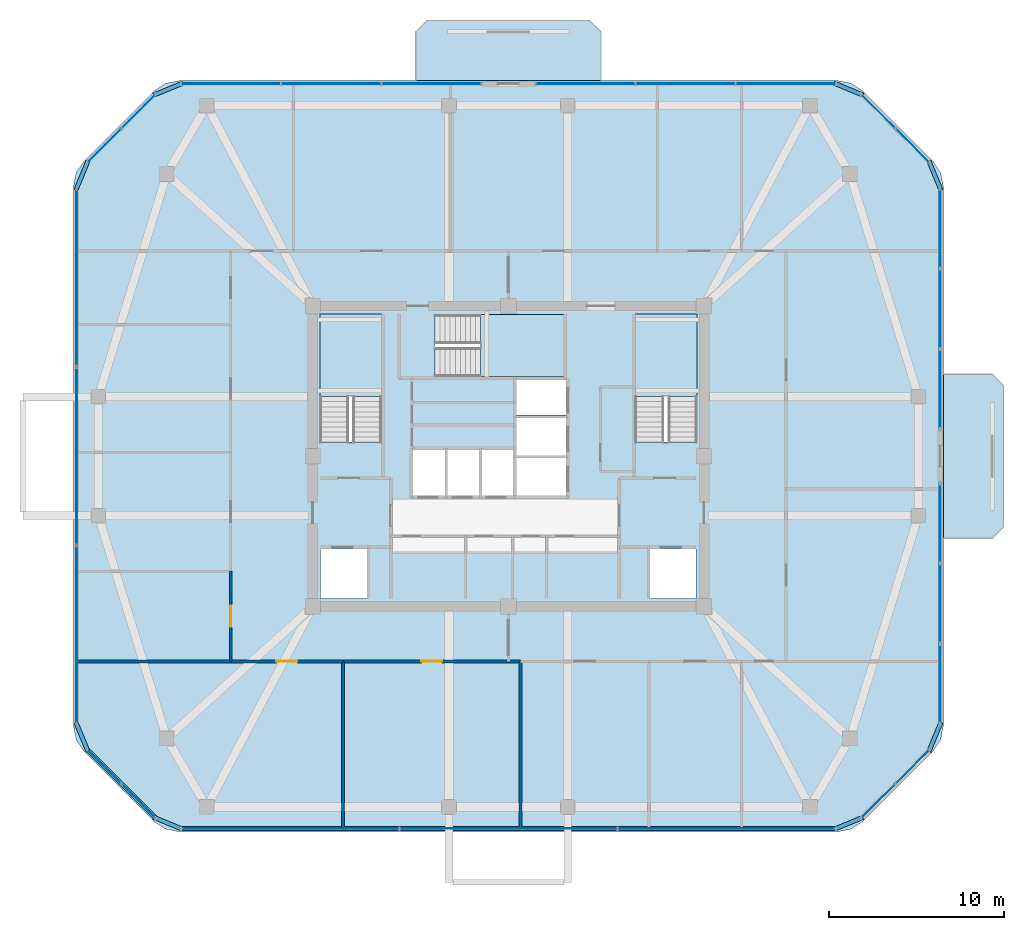
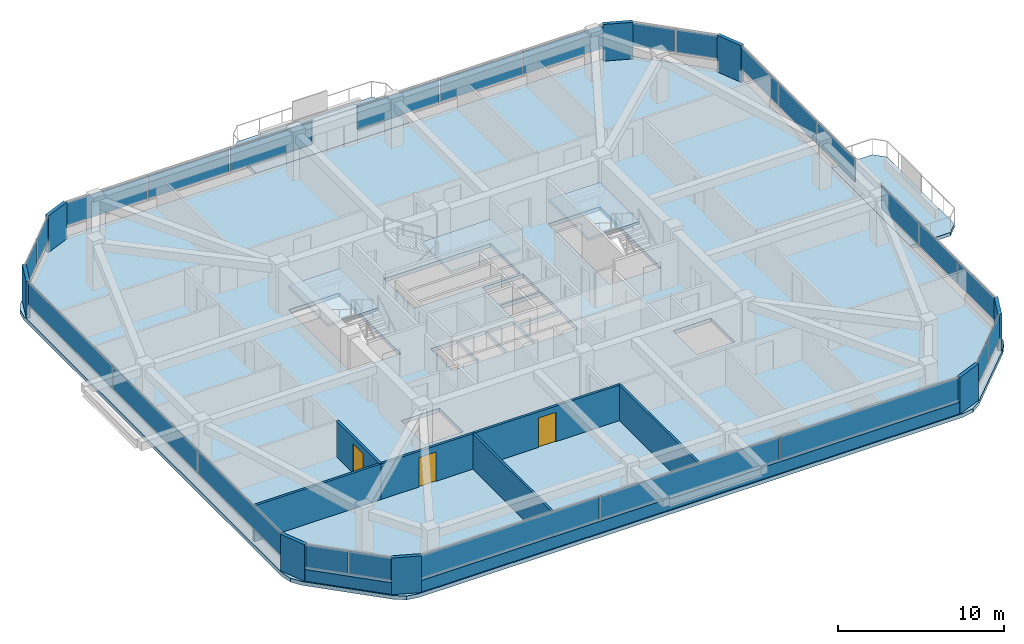
# One storey, part 8 of 14: 34 plates, 8 walls, 6 slabs, 3 doors, 3 openings, 13 elements without a shape of their own.
"""IFC4 building model written with IfcOpenShell, lengths in metres."""

from ifc_helpers import new_model, si_unit, derived_unit, direction, frame, frame_2d, origin, origin_2d, place, context, subcontext, project, spatial, polyline, rectangle, outline, extrude, material, layer, layer_set, type_object, element, fill, aggregate, save


model = new_model("IFC4")

# Units and contexts
model_context = context("Model", 3, precision=1e-05, world=origin(), true_north=direction((0.0, 1.0)))
body_context = subcontext(model_context, "Body", "Model", "MODEL_VIEW")
ifc_project = project(units=[si_unit("LENGTHUNIT", "METRE"), si_unit("AREAUNIT", "SQUARE_METRE"), si_unit("VOLUMEUNIT", "CUBIC_METRE"), si_unit("PLANEANGLEUNIT", "RADIAN"), si_unit("MASSUNIT", "GRAM", prefix="KILO"), derived_unit("THERMALTRANSMITTANCEUNIT", [(si_unit("POWERUNIT", "WATT"), 1), (si_unit("LENGTHUNIT", "METRE"), -2), (si_unit("THERMODYNAMICTEMPERATUREUNIT", "KELVIN"), -1)])], contexts=[model_context])

# Site, building, storey
site_placement = place(None, origin())
site = spatial("IfcSite", under=ifc_project, at=site_placement, CompositionType="ELEMENT")
building_placement = place(site_placement, origin())
building = spatial("IfcBuilding", under=site, at=building_placement, Name="Koralith Skygarden Medical Center", CompositionType="ELEMENT")
storey_placement = place(building_placement, frame((0.0, 0.0, 246.419921875)))
storey = spatial("IfcBuildingStorey", under=building, at=storey_placement, Name="L63", CompositionType="ELEMENT", Elevation=246.419921875)

# Curtain wall, plates
ifc_material_1 = material(Name="Clear Laminated Glass", Category="glass")
curtain_wall_type = type_object("IfcCurtainWallType", Name="CW-6 Zone 5 Upper Clinical Curtain Wall", PredefinedType="NOTDEFINED", material=ifc_material_1)
curtain_wall_1_placement = place(storey_placement, origin())
curtain_wall_1 = element("IfcCurtainWall", 1, at=curtain_wall_1_placement, inside=storey, type_object=curtain_wall_type, Name="Curtain Wall CW-L63-S", PredefinedType="NOTDEFINED")
ifc_layer_1 = layer(ifc_material_1, 0.0400390625)
ifc_layer_set_1 = layer_set([ifc_layer_1], Name="Clear Laminated Glass")
plate_type_1 = type_object("IfcPlateType", Name="CW-6 Hurricane Laminated IGU Panel 40", PredefinedType="CURTAIN_PANEL", material=ifc_layer_set_1)
plate_1_placement = place(storey_placement, frame((24.5029296875, 4.580078125, 0.919921875), z_axis=(0.0, 0.0, 1.0), x_axis=(1.0, 0.0, 0.0)))
plate_1 = element("IfcPlate", 2, at=plate_1_placement, type_object=plate_type_1, Name="CW-L63-S Glazed Panel 1", PredefinedType="CURTAIN_PANEL", context=body_context, shape_type="SweptSolid", body=[
    extrude(rectangle(XDim=12.406982421875, YDim=0.0400390625, at=origin_2d()), origin(), (0.0, 0.0, 1.0), 1.699951171875),
])
plate_2_placement = place(storey_placement, frame((37.0, 4.580078125, 0.919921875), z_axis=(0.0, 0.0, 1.0), x_axis=(1.0, 0.0, 0.0)))
plate_2 = element("IfcPlate", 3, at=plate_2_placement, type_object=plate_type_1, Name="CW-L63-S Glazed Panel 2", PredefinedType="CURTAIN_PANEL", context=body_context, shape_type="SweptSolid", body=[
    extrude(rectangle(XDim=12.406982421875, YDim=0.0400390625, at=origin_2d()), origin(), (0.0, 0.0, 1.0), 1.699951171875),
])
plate_3_placement = place(storey_placement, frame((49.4970703125, 4.580078125, 0.919921875), z_axis=(0.0, 0.0, 1.0), x_axis=(1.0, 0.0, 0.0)))
plate_3 = element("IfcPlate", 4, at=plate_3_placement, type_object=plate_type_1, Name="CW-L63-S Glazed Panel 3", PredefinedType="CURTAIN_PANEL", context=body_context, shape_type="SweptSolid", body=[
    extrude(rectangle(XDim=12.406982421875, YDim=0.0400390625, at=origin_2d()), origin(), (0.0, 0.0, 1.0), 1.699951171875),
])
aggregate(curtain_wall_1, [plate_1, plate_2, plate_3])

curtain_wall_2_placement = place(storey_placement, origin())
curtain_wall_2 = element("IfcCurtainWall", 5, at=curtain_wall_2_placement, inside=storey, type_object=curtain_wall_type, Name="Curtain Wall CW-L63-SE", PredefinedType="NOTDEFINED")
plate_4_placement = place(storey_placement, frame((58.177001953125, 6.162109375, 0.919921875), z_axis=(0.0, 0.0, 1.0), x_axis=(0.707106781187, 0.707106781187, 0.0)))
plate_4 = element("IfcPlate", 6, at=plate_4_placement, type_object=plate_type_1, Name="CW-L63-SE Glazed Panel 1", PredefinedType="CURTAIN_PANEL", context=body_context, shape_type="SweptSolid", body=[
    extrude(rectangle(XDim=2.68408203125, YDim=0.0400390625, at=origin_2d()), origin(), (0.0, 0.0, 1.0), 1.699951171875),
])
plate_5_placement = place(storey_placement, frame((60.137939453125, 8.123046875, 0.919921875), z_axis=(0.0, 0.0, 1.0), x_axis=(0.707106781187, 0.707106781187, 0.0)))
plate_5 = element("IfcPlate", 7, at=plate_5_placement, type_object=plate_type_1, Name="CW-L63-SE Glazed Panel 2", PredefinedType="CURTAIN_PANEL", context=body_context, shape_type="SweptSolid", body=[
    extrude(rectangle(XDim=2.68408203125, YDim=0.0400390625, at=origin_2d()), origin(), (0.0, 0.0, 1.0), 1.699951171875),
])
aggregate(curtain_wall_2, [plate_4, plate_5])

curtain_wall_3_placement = place(storey_placement, origin())
curtain_wall_3 = element("IfcCurtainWall", 8, at=curtain_wall_3_placement, inside=storey, type_object=curtain_wall_type, Name="Curtain Wall CW-L63-E-L", PredefinedType="NOTDEFINED")
plate_6_placement = place(storey_placement, frame((61.719970703125, 12.85595703125, 0.919921875), z_axis=(0.0, 0.0, 1.0), x_axis=(0.0, 1.0, 0.0)))
plate_6 = element("IfcPlate", 9, at=plate_6_placement, type_object=plate_type_1, Name="CW-L63-E-L Glazed Panel 1", PredefinedType="CURTAIN_PANEL", context=body_context, shape_type="SweptSolid", body=[
    extrude(rectangle(XDim=4.511962890625, YDim=0.0400390625, at=origin_2d()), origin(), (0.0, 0.0, 1.0), 1.699951171875),
])
plate_7_placement = place(storey_placement, frame((61.719970703125, 17.45703125, 0.919921875), z_axis=(0.0, 0.0, 1.0), x_axis=(0.0, 1.0, 0.0)))
plate_7 = element("IfcPlate", 10, at=plate_7_placement, type_object=plate_type_1, Name="CW-L63-E-L Glazed Panel 2", PredefinedType="CURTAIN_PANEL", context=body_context, shape_type="SweptSolid", body=[
    extrude(rectangle(XDim=4.511962890625, YDim=0.0400390625, at=origin_2d()), origin(), (0.0, 0.0, 1.0), 1.699951171875),
])
plate_8_placement = place(storey_placement, frame((61.719970703125, 22.05908203125, 0.919921875), z_axis=(0.0, 0.0, 1.0), x_axis=(0.0, 1.0, 0.0)))
plate_8 = element("IfcPlate", 11, at=plate_8_placement, type_object=plate_type_1, Name="CW-L63-E-L Glazed Panel 3", PredefinedType="CURTAIN_PANEL", context=body_context, shape_type="SweptSolid", body=[
    extrude(rectangle(XDim=4.511962890625, YDim=0.0400390625, at=origin_2d()), origin(), (0.0, 0.0, 1.0), 1.699951171875),
])
aggregate(curtain_wall_3, [plate_6, plate_7, plate_8])

curtain_wall_4_placement = place(storey_placement, origin())
curtain_wall_4 = element("IfcCurtainWall", 12, at=curtain_wall_4_placement, inside=storey, type_object=curtain_wall_type, Name="Curtain Wall CW-L63-E-R", PredefinedType="NOTDEFINED")
plate_9_placement = place(storey_placement, frame((61.719970703125, 29.740966796875, 0.919921875), z_axis=(0.0, 0.0, 1.0), x_axis=(0.0, 1.0, 0.0)))
plate_9 = element("IfcPlate", 13, at=plate_9_placement, type_object=plate_type_1, Name="CW-L63-E-R Glazed Panel 1", PredefinedType="CURTAIN_PANEL", context=body_context, shape_type="SweptSolid", body=[
    extrude(rectangle(XDim=4.511962890625, YDim=0.0400390625, at=origin_2d()), origin(), (0.0, 0.0, 1.0), 1.699951171875),
])
plate_10_placement = place(storey_placement, frame((61.719970703125, 34.343017578125, 0.919921875), z_axis=(0.0, 0.0, 1.0), x_axis=(0.0, 1.0, 0.0)))
plate_10 = element("IfcPlate", 14, at=plate_10_placement, type_object=plate_type_1, Name="CW-L63-E-R Glazed Panel 2", PredefinedType="CURTAIN_PANEL", context=body_context, shape_type="SweptSolid", body=[
    extrude(rectangle(XDim=4.511962890625, YDim=0.0400390625, at=origin_2d()), origin(), (0.0, 0.0, 1.0), 1.699951171875),
])
plate_11_placement = place(storey_placement, frame((61.719970703125, 38.944091796875, 0.919921875), z_axis=(0.0, 0.0, 1.0), x_axis=(0.0, 1.0, 0.0)))
plate_11 = element("IfcPlate", 15, at=plate_11_placement, type_object=plate_type_1, Name="CW-L63-E-R Glazed Panel 3", PredefinedType="CURTAIN_PANEL", context=body_context, shape_type="SweptSolid", body=[
    extrude(rectangle(XDim=4.511962890625, YDim=0.0400390625, at=origin_2d()), origin(), (0.0, 0.0, 1.0), 1.699951171875),
])
aggregate(curtain_wall_4, [plate_9, plate_10, plate_11])

curtain_wall_5_placement = place(storey_placement, origin())
curtain_wall_5 = element("IfcCurtainWall", 16, at=curtain_wall_5_placement, inside=storey, type_object=curtain_wall_type, Name="Curtain Wall CW-L63-NE", PredefinedType="NOTDEFINED")
plate_12_placement = place(storey_placement, frame((60.137939453125, 43.677001953125, 0.919921875), z_axis=(0.0, 0.0, 1.0), x_axis=(-0.707106781187, 0.707106781187, 0.0)))
plate_12 = element("IfcPlate", 17, at=plate_12_placement, type_object=plate_type_1, Name="CW-L63-NE Glazed Panel 1", PredefinedType="CURTAIN_PANEL", context=body_context, shape_type="SweptSolid", body=[
    extrude(rectangle(XDim=2.68408203125, YDim=0.0400390625, at=origin_2d()), origin(), (0.0, 0.0, 1.0), 1.699951171875),
])
plate_13_placement = place(storey_placement, frame((58.177001953125, 45.637939453125, 0.919921875), z_axis=(0.0, 0.0, 1.0), x_axis=(-0.707106781187, 0.707106781187, 0.0)))
plate_13 = element("IfcPlate", 18, at=plate_13_placement, type_object=plate_type_1, Name="CW-L63-NE Glazed Panel 2", PredefinedType="CURTAIN_PANEL", context=body_context, shape_type="SweptSolid", body=[
    extrude(rectangle(XDim=2.68408203125, YDim=0.0400390625, at=origin_2d()), origin(), (0.0, 0.0, 1.0), 1.699951171875),
])
aggregate(curtain_wall_5, [plate_12, plate_13])

curtain_wall_6_placement = place(storey_placement, origin())
curtain_wall_6 = element("IfcCurtainWall", 19, at=curtain_wall_6_placement, inside=storey, type_object=curtain_wall_type, Name="Curtain Wall CW-L63-N-L", PredefinedType="NOTDEFINED")
plate_14_placement = place(storey_placement, frame((52.8779296875, 47.219970703125, 0.919921875), z_axis=(0.0, 0.0, 1.0), x_axis=(-1.0, 0.0, 0.0)))
plate_14 = element("IfcPlate", 20, at=plate_14_placement, type_object=plate_type_1, Name="CW-L63-N-L Glazed Panel 1", PredefinedType="CURTAIN_PANEL", context=body_context, shape_type="SweptSolid", body=[
    extrude(rectangle(XDim=5.64501953125, YDim=0.0400390625, at=origin_2d()), origin(), (0.0, 0.0, 1.0), 1.699951171875),
])
plate_15_placement = place(storey_placement, frame((47.14306640625, 47.219970703125, 0.919921875), z_axis=(0.0, 0.0, 1.0), x_axis=(-1.0, 0.0, 0.0)))
plate_15 = element("IfcPlate", 21, at=plate_15_placement, type_object=plate_type_1, Name="CW-L63-N-L Glazed Panel 2", PredefinedType="CURTAIN_PANEL", context=body_context, shape_type="SweptSolid", body=[
    extrude(rectangle(XDim=5.64501953125, YDim=0.0400390625, at=origin_2d()), origin(), (0.0, 0.0, 1.0), 1.699951171875),
])
plate_16_placement = place(storey_placement, frame((41.407958984375, 47.219970703125, 0.919921875), z_axis=(0.0, 0.0, 1.0), x_axis=(-1.0, 0.0, 0.0)))
plate_16 = element("IfcPlate", 22, at=plate_16_placement, type_object=plate_type_1, Name="CW-L63-N-L Glazed Panel 3", PredefinedType="CURTAIN_PANEL", context=body_context, shape_type="SweptSolid", body=[
    extrude(rectangle(XDim=5.64501953125, YDim=0.0400390625, at=origin_2d()), origin(), (0.0, 0.0, 1.0), 1.699951171875),
])
aggregate(curtain_wall_6, [plate_14, plate_15, plate_16])

curtain_wall_7_placement = place(storey_placement, origin())
curtain_wall_7 = element("IfcCurtainWall", 23, at=curtain_wall_7_placement, inside=storey, type_object=curtain_wall_type, Name="Curtain Wall CW-L63-N-R", PredefinedType="NOTDEFINED")
plate_17_placement = place(storey_placement, frame((32.593017578125, 47.219970703125, 0.919921875), z_axis=(0.0, 0.0, 1.0), x_axis=(-1.0, 0.0, 0.0)))
plate_17 = element("IfcPlate", 24, at=plate_17_placement, type_object=plate_type_1, Name="CW-L63-N-R Glazed Panel 1", PredefinedType="CURTAIN_PANEL", context=body_context, shape_type="SweptSolid", body=[
    extrude(rectangle(XDim=5.64501953125, YDim=0.0400390625, at=origin_2d()), origin(), (0.0, 0.0, 1.0), 1.699951171875),
])
plate_18_placement = place(storey_placement, frame((26.85791015625, 47.219970703125, 0.919921875), z_axis=(0.0, 0.0, 1.0), x_axis=(-1.0, 0.0, 0.0)))
plate_18 = element("IfcPlate", 25, at=plate_18_placement, type_object=plate_type_1, Name="CW-L63-N-R Glazed Panel 2", PredefinedType="CURTAIN_PANEL", context=body_context, shape_type="SweptSolid", body=[
    extrude(rectangle(XDim=5.64501953125, YDim=0.0400390625, at=origin_2d()), origin(), (0.0, 0.0, 1.0), 1.699951171875),
])
plate_19_placement = place(storey_placement, frame((21.123046875, 47.219970703125, 0.919921875), z_axis=(0.0, 0.0, 1.0), x_axis=(-1.0, 0.0, 0.0)))
plate_19 = element("IfcPlate", 26, at=plate_19_placement, type_object=plate_type_1, Name="CW-L63-N-R Glazed Panel 3", PredefinedType="CURTAIN_PANEL", context=body_context, shape_type="SweptSolid", body=[
    extrude(rectangle(XDim=5.64501953125, YDim=0.0400390625, at=origin_2d()), origin(), (0.0, 0.0, 1.0), 1.699951171875),
])
aggregate(curtain_wall_7, [plate_17, plate_18, plate_19])

curtain_wall_8_placement = place(storey_placement, origin())
curtain_wall_8 = element("IfcCurtainWall", 27, at=curtain_wall_8_placement, inside=storey, type_object=curtain_wall_type, Name="Curtain Wall CW-L63-NW", PredefinedType="NOTDEFINED")
plate_20_placement = place(storey_placement, frame((15.822998046875, 45.637939453125, 0.919921875), z_axis=(0.0, 0.0, 1.0), x_axis=(-0.707106781187, -0.707106781187, 0.0)))
plate_20 = element("IfcPlate", 28, at=plate_20_placement, type_object=plate_type_1, Name="CW-L63-NW Glazed Panel 1", PredefinedType="CURTAIN_PANEL", context=body_context, shape_type="SweptSolid", body=[
    extrude(rectangle(XDim=2.68408203125, YDim=0.0400390625, at=origin_2d()), origin(), (0.0, 0.0, 1.0), 1.699951171875),
])
plate_21_placement = place(storey_placement, frame((13.862060546875, 43.677001953125, 0.919921875), z_axis=(0.0, 0.0, 1.0), x_axis=(-0.707106781187, -0.707106781187, 0.0)))
plate_21 = element("IfcPlate", 29, at=plate_21_placement, type_object=plate_type_1, Name="CW-L63-NW Glazed Panel 2", PredefinedType="CURTAIN_PANEL", context=body_context, shape_type="SweptSolid", body=[
    extrude(rectangle(XDim=2.68408203125, YDim=0.0400390625, at=origin_2d()), origin(), (0.0, 0.0, 1.0), 1.699951171875),
])
aggregate(curtain_wall_8, [plate_20, plate_21])

curtain_wall_9_placement = place(storey_placement, origin())
curtain_wall_9 = element("IfcCurtainWall", 30, at=curtain_wall_9_placement, inside=storey, type_object=curtain_wall_type, Name="Curtain Wall CW-L63-W", PredefinedType="NOTDEFINED")
plate_22_placement = place(storey_placement, frame((12.280029296875, 36.1298828125, 0.919921875), z_axis=(0.0, 0.0, 1.0), x_axis=(0.0, -1.0, 0.0)))
plate_22 = element("IfcPlate", 31, at=plate_22_placement, type_object=plate_type_1, Name="CW-L63-W Glazed Panel 1", PredefinedType="CURTAIN_PANEL", context=body_context, shape_type="SweptSolid", body=[
    extrude(rectangle(XDim=10.139892578125, YDim=0.0400390625, at=origin_2d()), origin(), (0.0, 0.0, 1.0), 1.699951171875),
])
plate_23_placement = place(storey_placement, frame((12.280029296875, 25.89990234375, 0.919921875), z_axis=(0.0, 0.0, 1.0), x_axis=(0.0, -1.0, 0.0)))
plate_23 = element("IfcPlate", 32, at=plate_23_placement, type_object=plate_type_1, Name="CW-L63-W Glazed Panel 2", PredefinedType="CURTAIN_PANEL", context=body_context, shape_type="SweptSolid", body=[
    extrude(rectangle(XDim=10.139892578125, YDim=0.0400390625, at=origin_2d()), origin(), (0.0, 0.0, 1.0), 1.699951171875),
])
plate_24_placement = place(storey_placement, frame((12.280029296875, 15.669921875, 0.919921875), z_axis=(0.0, 0.0, 1.0), x_axis=(0.0, -1.0, 0.0)))
plate_24 = element("IfcPlate", 33, at=plate_24_placement, type_object=plate_type_1, Name="CW-L63-W Glazed Panel 3", PredefinedType="CURTAIN_PANEL", context=body_context, shape_type="SweptSolid", body=[
    extrude(rectangle(XDim=10.139892578125, YDim=0.0400390625, at=origin_2d()), origin(), (0.0, 0.0, 1.0), 1.699951171875),
])
aggregate(curtain_wall_9, [plate_22, plate_23, plate_24])

curtain_wall_10_placement = place(storey_placement, origin())
curtain_wall_10 = element("IfcCurtainWall", 34, at=curtain_wall_10_placement, inside=storey, type_object=curtain_wall_type, Name="Curtain Wall CW-L63-SW", PredefinedType="NOTDEFINED")
plate_25_placement = place(storey_placement, frame((13.862060546875, 8.123046875, 0.919921875), z_axis=(0.0, 0.0, 1.0), x_axis=(0.707106781187, -0.707106781187, 0.0)))
plate_25 = element("IfcPlate", 35, at=plate_25_placement, type_object=plate_type_1, Name="CW-L63-SW Glazed Panel 1", PredefinedType="CURTAIN_PANEL", context=body_context, shape_type="SweptSolid", body=[
    extrude(rectangle(XDim=2.68408203125, YDim=0.0400390625, at=origin_2d()), origin(), (0.0, 0.0, 1.0), 1.699951171875),
])
plate_26_placement = place(storey_placement, frame((15.822998046875, 6.162109375, 0.919921875), z_axis=(0.0, 0.0, 1.0), x_axis=(0.707106781187, -0.707106781187, 0.0)))
plate_26 = element("IfcPlate", 36, at=plate_26_placement, type_object=plate_type_1, Name="CW-L63-SW Glazed Panel 2", PredefinedType="CURTAIN_PANEL", context=body_context, shape_type="SweptSolid", body=[
    extrude(rectangle(XDim=2.68408203125, YDim=0.0400390625, at=origin_2d()), origin(), (0.0, 0.0, 1.0), 1.699951171875),
])
aggregate(curtain_wall_10, [plate_25, plate_26])

# Slabs
ifc_material_2 = material(Name="Concrete C45/55", Category="concrete")
ifc_layer_2 = layer(ifc_material_2, 0.260009765625)
ifc_layer_set_2 = layer_set([ifc_layer_2], Name="Concrete C45/55")
slab_type_1 = type_object("IfcSlabType", Name="Cantilevered Planted Balcony Slab 260", PredefinedType="FLOOR", material=ifc_layer_set_2)
slab_1_placement = place(storey_placement, frame((0.0, 0.0, -0.260009765625)))
element("IfcSlab", 37, at=slab_1_placement, inside=storey, type_object=slab_type_1, Name="L63 N Planted Sky-Garden Balcony Slab", PredefinedType="FLOOR", context=body_context, shape_type="SweptSolid", body=[
    extrude(outline(polyline([(31.699951171875, 47.39990234375), (42.300048828125, 47.39990234375), (42.300048828125, 50.199951171875), (41.64990234375, 50.85009765625), (32.35009765625, 50.85009765625), (31.699951171875, 50.199951171875), (31.699951171875, 47.39990234375)])), origin(), (0.0, 0.0, 1.0), 0.260009765625),
])
slab_2_placement = place(storey_placement, frame((0.0, 0.0, -0.260009765625)))
element("IfcSlab", 38, at=slab_2_placement, inside=storey, type_object=slab_type_1, Name="L63 E Planted Sky-Garden Balcony Slab", PredefinedType="FLOOR", context=body_context, shape_type="SweptSolid", body=[
    extrude(outline(polyline([(61.89990234375, 21.199951171875), (64.699951171875, 21.199951171875), (65.35009765625, 21.85009765625), (65.35009765625, 29.949951171875), (64.699951171875, 30.60009765625), (61.89990234375, 30.60009765625), (61.89990234375, 21.199951171875)])), origin(), (0.0, 0.0, 1.0), 0.260009765625),
])

# Stair, slab
stair_type = type_object("IfcStairType", Name="Core Exit Dogleg Concrete Stair", PredefinedType="HALF_TURN_STAIR", material=ifc_material_2)
stair_1_placement = place(storey_placement, origin())
stair_1 = element("IfcStair", 39, at=stair_1_placement, inside=storey, type_object=stair_type, Name="L63 Smokeproof Exit Stair ST1", PredefinedType="HALF_TURN_STAIR")
ifc_layer_3 = layer(ifc_material_2, 0.199951171875)
ifc_layer_set_3 = layer_set([ifc_layer_3], Name="Concrete C45/55")
slab_type_2 = type_object("IfcSlabType", Name="Core Exit Concrete Stair Landing 200", PredefinedType="LANDING", material=ifc_layer_set_3)
slab_3_placement = place(storey_placement, frame((0.0, 0.0, 1.60009765625)))
slab_3 = element("IfcSlab", 40, at=slab_3_placement, type_object=slab_type_2, Name="ST1 landing 1", PredefinedType="LANDING", context=body_context, shape_type="SweptSolid", body=[
    extrude(outline(polyline([(29.75, 29.31005859375), (29.75, 34.050048828125), (26.199951171875, 34.050048828125), (26.199951171875, 29.31005859375), (29.75, 29.31005859375)])), origin(), (0.0, 0.0, 1.0), 0.199951171875),
])
aggregate(stair_1, [slab_3])

stair_2_placement = place(storey_placement, origin())
stair_2 = element("IfcStair", 41, at=stair_2_placement, inside=storey, type_object=stair_type, Name="L63 Smokeproof Exit Stair ST2", PredefinedType="HALF_TURN_STAIR")
slab_4_placement = place(storey_placement, frame((0.0, 0.0, 1.60009765625)))
slab_4 = element("IfcSlab", 42, at=slab_4_placement, type_object=slab_type_2, Name="ST2 landing 1", PredefinedType="LANDING", context=body_context, shape_type="SweptSolid", body=[
    extrude(outline(polyline([(47.800048828125, 29.31005859375), (47.800048828125, 34.050048828125), (44.25, 34.050048828125), (44.25, 29.31005859375), (47.800048828125, 29.31005859375)])), origin(), (0.0, 0.0, 1.0), 0.199951171875),
])
aggregate(stair_2, [slab_4])

stair_3_placement = place(storey_placement, origin())
stair_3 = element("IfcStair", 43, at=stair_3_placement, inside=storey, type_object=stair_type, Name="L63 Smokeproof Exit Stair ST3", PredefinedType="HALF_TURN_STAIR")
slab_5_placement = place(storey_placement, frame((0.0, 0.0, 1.60009765625)))
slab_5 = element("IfcSlab", 44, at=slab_5_placement, type_object=slab_type_2, Name="ST3 landing 1", PredefinedType="LANDING", context=body_context, shape_type="SweptSolid", body=[
    extrude(outline(polyline([(35.409912109375, 30.449951171875), (40.199951171875, 30.449951171875), (40.199951171875, 34.0), (35.409912109375, 34.0), (35.409912109375, 30.449951171875)])), origin(), (0.0, 0.0, 1.0), 0.199951171875),
])
aggregate(stair_3, [slab_5])

# Slab
ifc_layer_4 = layer(ifc_material_2, 0.280029296875)
ifc_layer_set_4 = layer_set([ifc_layer_4], Name="Concrete C45/55")
slab_type_3 = type_object("IfcSlabType", Name="Post-Tensioned Ward Floor Plate 280", PredefinedType="FLOOR", material=ifc_layer_set_4)
slab_6_placement = place(storey_placement, frame((0.0, 0.0, -0.280029296875)))
element("IfcSlab", 45, at=slab_6_placement, inside=storey, type_object=slab_type_3, Name="Level L63 Structural Floor Slab", PredefinedType="FLOOR", context=body_context, shape_type="SweptSolid", body=[
    extrude(outline(polyline([(16.714111328125, 4.986083984375), (17.363037109375, 4.552001953125), (18.1279296875, 4.39990234375), (55.8720703125, 4.39990234375), (56.636962890625, 4.552001953125), (57.285888671875, 4.986083984375), (61.31396484375, 9.013916015625), (61.748046875, 9.6630859375), (61.89990234375, 10.427978515625), (61.89990234375, 41.3720703125), (61.748046875, 42.136962890625), (61.31396484375, 42.785888671875), (57.285888671875, 46.81396484375), (56.636962890625, 47.248046875), (55.8720703125, 47.39990234375), (18.1279296875, 47.39990234375), (17.363037109375, 47.248046875), (16.714111328125, 46.81396484375), (12.68603515625, 42.785888671875), (12.251953125, 42.136962890625), (12.10009765625, 41.3720703125), (12.10009765625, 10.427978515625), (12.251953125, 9.6630859375), (12.68603515625, 9.013916015625), (16.714111328125, 4.986083984375)]), holes=[polyline([(26.199951171875, 26.705078125), (29.75, 26.705078125), (29.75, 34.050048828125), (26.199951171875, 34.050048828125), (26.199951171875, 26.705078125)]), polyline([(44.25, 26.705078125), (47.800048828125, 26.705078125), (47.800048828125, 34.050048828125), (44.25, 34.050048828125), (44.25, 26.705078125)]), polyline([(32.804931640625, 30.449951171875), (40.199951171875, 30.449951171875), (40.199951171875, 34.0), (32.804931640625, 34.0), (32.804931640625, 30.449951171875)]), polyline([(26.25, 17.75), (28.89990234375, 17.75), (28.89990234375, 20.60009765625), (26.25, 20.60009765625), (26.25, 17.75)]), polyline([(45.10009765625, 17.75), (47.75, 17.75), (47.75, 20.60009765625), (45.10009765625, 20.60009765625), (45.10009765625, 17.75)]), polyline([(31.550048828125, 23.64990234375), (33.39990234375, 23.64990234375), (33.39990234375, 26.25), (31.550048828125, 26.25), (31.550048828125, 23.64990234375)]), polyline([(33.5, 23.64990234375), (35.35009765625, 23.64990234375), (35.35009765625, 26.25), (33.5, 26.25), (33.5, 23.64990234375)]), polyline([(35.449951171875, 23.64990234375), (37.300048828125, 23.64990234375), (37.300048828125, 26.25), (35.449951171875, 26.25), (35.449951171875, 23.64990234375)]), polyline([(37.449951171875, 23.64990234375), (40.300048828125, 23.64990234375), (40.300048828125, 25.800048828125), (37.449951171875, 25.800048828125), (37.449951171875, 23.64990234375)]), polyline([(37.449951171875, 25.949951171875), (40.300048828125, 25.949951171875), (40.300048828125, 28.10009765625), (37.449951171875, 28.10009765625), (37.449951171875, 25.949951171875)]), polyline([(37.449951171875, 28.25), (40.300048828125, 28.25), (40.300048828125, 30.25), (37.449951171875, 30.25), (37.449951171875, 28.25)])]), origin(), (0.0, 0.0, 1.0), 0.280029296875),
])

# Plates
ifc_material_3 = material(Name="Warm Oolitic Limestone Cladding", Category="masonry")
ifc_layer_5 = layer(ifc_material_3, 0.239990234375)
ifc_layer_set_5 = layer_set([ifc_layer_5], Name="Warm Oolitic Limestone Cladding")
plate_type_2 = type_object("IfcPlateType", Name="Rounded-Corner Oolitic Limestone Cladding Panel 240", PredefinedType="USERDEFINED", material=ifc_layer_set_5)
for number, where, z_axis, x_axis, name in (
    (46, (56.470947265625, 4.8798828125, 0.0), (0.0, 0.0, 1.0), (0.92388487569, 0.382670532536, 0.0), "L63 Rounded-Corner Limestone Pier 1"),
    (47, (61.4189453125, 9.8291015625, 0.0), (0.0, 0.0, 1.0), (0.382670532536, 0.92388487569, 0.0), "L63 Rounded-Corner Limestone Pier 2"),
    (48, (61.4189453125, 41.970947265625, 0.0), (0.0, 0.0, 1.0), (-0.382670532536, 0.92388487569, 0.0), "L63 Rounded-Corner Limestone Pier 3"),
    (49, (56.470947265625, 46.9189453125, 0.0), (0.0, 0.0, 1.0), (-0.92388487569, 0.382670532536, 0.0), "L63 Rounded-Corner Limestone Pier 4"),
    (50, (17.529052734375, 46.9189453125, 0.0), (0.0, 0.0, 1.0), (-0.92388487569, -0.382670532536, 0.0), "L63 Rounded-Corner Limestone Pier 5"),
    (51, (12.5810546875, 41.970947265625, 0.0), (0.0, 0.0, 1.0), (-0.382670532536, -0.92388487569, 0.0), "L63 Rounded-Corner Limestone Pier 6"),
    (52, (12.5810546875, 9.8291015625, 0.0), (0.0, 0.0, 1.0), (0.382670532536, -0.92388487569, 0.0), "L63 Rounded-Corner Limestone Pier 7"),
    (53, (17.529052734375, 4.8798828125, 0.0), (0.0, 0.0, 1.0), (0.92388487569, -0.382670532536, 0.0), "L63 Rounded-Corner Limestone Pier 8"),
):
    element("IfcPlate", number, at=place(storey_placement, frame(where, z_axis=z_axis, x_axis=x_axis)), inside=storey, type_object=plate_type_2, Name=name, ObjectType="LIMESTONE CLADDING", PredefinedType="USERDEFINED", context=body_context, shape_type="SweptSolid", body=[
        extrude(rectangle(XDim=1.81103515625, YDim=0.239990234375, at=origin_2d()), origin(), (0.0, 0.0, 1.0), 2.68994140625),
    ])

# Walls
ifc_material_4 = material(Name="Gypsum Board Partition")
ifc_layer_6 = layer(ifc_material_4, 0.14990234375)
ifc_layer_set_6 = layer_set([ifc_layer_6], Name="Gypsum Board Partition")
wall_type_1 = type_object("IfcWallType", Name="Clinical Acoustic Partition 150", PredefinedType="PARTITIONING", material=ifc_layer_set_6)
for number, where, z_axis, x_axis, name in (
    (54, (27.528076171875, 14.14990234375, 0.0), (0.0, 0.0, 1.0), (0.0, -1.0, 0.0), "L63 Clinical Acoustic Partition 150 W-PART-L63-S-01"),
    (55, (37.69091796875, 14.14990234375, 0.0), (0.0, 0.0, 1.0), (0.0, -1.0, 0.0), "L63 Clinical Acoustic Partition 150 W-PART-L63-S-02"),
):
    element("IfcWall", number, at=place(storey_placement, frame(where, z_axis=z_axis, x_axis=x_axis)), inside=storey, type_object=wall_type_1, Name=name, PredefinedType="PARTITIONING", context=body_context, shape_type="SweptSolid", body=[
        extrude(rectangle(XDim=9.5498046875, YDim=0.14990234375, at=frame_2d((4.77490234375, 0.0))), origin(), (0.0, 0.0, 1.0), 2.610107421875),
    ])
ifc_layer_7 = layer(ifc_material_4, 0.1650390625)
ifc_layer_set_7 = layer_set([ifc_layer_7], Name="Gypsum Board Partition")
wall_type_2 = type_object("IfcWallType", Name="Clinical Corridor Partition 165", PredefinedType="PARTITIONING", material=ifc_layer_set_7)
wall_1_placement = place(storey_placement, frame((12.300048828125, 14.14990234375, 0.0), z_axis=(0.0, 0.0, 1.0), x_axis=(1.0, 0.0, 0.0)))
element("IfcWall", 56, at=wall_1_placement, inside=storey, type_object=wall_type_2, Name="L63 Clinical Corridor Partition 165 W-WB-L63-SW", PredefinedType="PARTITIONING", context=body_context, shape_type="SweptSolid", body=[
    extrude(rectangle(XDim=8.800048828125, YDim=0.1650390625, at=frame_2d((4.39990234375, 0.0))), origin(), (0.0, 0.0, 1.0), 2.610107421875),
])

# Wall, opening, door
wall_2_placement = place(storey_placement, frame((21.10009765625, 14.14990234375, 0.0), z_axis=(0.0, 0.0, 1.0), x_axis=(1.0, 0.0, 0.0)))
wall_2 = element("IfcWall", 57, at=wall_2_placement, inside=storey, type_object=wall_type_2, Name="L63 Clinical Corridor Partition 165 W-CORR-L63-S-01", PredefinedType="PARTITIONING", context=body_context, shape_type="SweptSolid", body=[
    extrude(rectangle(XDim=6.427978515625, YDim=0.1650390625, at=frame_2d((3.2138671875, 0.0))), origin(), (0.0, 0.0, 1.0), 2.610107421875),
])
opening_1_placement = place(wall_2_placement, frame((2.614013671875, 0.0, 0.0)))
opening_1 = element("IfcOpeningElement", 58, at=opening_1_placement, cuts=wall_2, Name="Opening D-CLN", PredefinedType="OPENING", context=body_context, shape_type="SweptSolid", body=[
    extrude(rectangle(XDim=1.199951171875, YDim=2.14990234375, at=frame_2d((0.60009765625, 1.074951171875))), frame((0.0, 0.092529296875, 0.0), z_axis=(0.0, -1.0, 0.0), x_axis=(1.0, 0.0, 0.0)), (0.0, 0.0, 1.0), 0.18505859375),
])
ifc_material_5 = material(Name="Aluminium 6063-T6", Category="aluminium")
door_type = type_object("IfcDoorType", Name="Clinical Corridor Door D-CLN 1200", OperationType="NOTDEFINED", PredefinedType="DOOR", material=ifc_material_5)
door_1_placement = place(opening_1_placement, frame((1.199951171875, 0.0, 0.0), z_axis=(0.0, 0.0, 1.0), x_axis=(-1.0, 0.0, 0.0)))
door_1 = element("IfcDoor", 59, at=door_1_placement, inside=storey, type_object=door_type, Name="L63 Staff Refreshment and Nutrition Pantry 06 Door", OperationType="SINGLE_SWING_LEFT", OverallHeight=2.14990234375, OverallWidth=1.199951171875, PredefinedType="DOOR", context=body_context, shape_type="SweptSolid", body=[
    extrude(rectangle(XDim=1.199951171875, YDim=2.14990234375, at=frame_2d((0.60009765625, 1.074951171875))), frame((0.0, 0.02490234375, 0.0), z_axis=(0.0, -1.0, 0.0), x_axis=(1.0, 0.0, 0.0)), (0.0, 0.0, 1.0), 0.050048828125),
])
fill(opening_1, door_1)

wall_3_placement = place(storey_placement, frame((27.528076171875, 14.14990234375, 0.0), z_axis=(0.0, 0.0, 1.0), x_axis=(1.0, 0.0, 0.0)))
wall_3 = element("IfcWall", 60, at=wall_3_placement, inside=storey, type_object=wall_type_2, Name="L63 Clinical Corridor Partition 165 W-CORR-L63-S-02", PredefinedType="PARTITIONING", context=body_context, shape_type="SweptSolid", body=[
    extrude(rectangle(XDim=10.162841796875, YDim=0.1650390625, at=frame_2d((5.08154296875, 0.0))), origin(), (0.0, 0.0, 1.0), 2.610107421875),
])
opening_2_placement = place(wall_3_placement, frame((4.48193359375, 0.0, 0.0)))
opening_2 = element("IfcOpeningElement", 61, at=opening_2_placement, cuts=wall_3, Name="Opening D-CLN", PredefinedType="OPENING", context=body_context, shape_type="SweptSolid", body=[
    extrude(rectangle(XDim=1.199951171875, YDim=2.14990234375, at=frame_2d((0.60009765625, 1.074951171875))), frame((0.0, 0.092529296875, 0.0), z_axis=(0.0, -1.0, 0.0), x_axis=(1.0, 0.0, 0.0)), (0.0, 0.0, 1.0), 0.18505859375),
])
door_2_placement = place(opening_2_placement, frame((1.199951171875, 0.0, 0.0), z_axis=(0.0, 0.0, 1.0), x_axis=(-1.0, 0.0, 0.0)))
door_2 = element("IfcDoor", 62, at=door_2_placement, inside=storey, type_object=door_type, Name="L63 Clinical Pharmacist Office 07 Door", OperationType="SINGLE_SWING_RIGHT", OverallHeight=2.14990234375, OverallWidth=1.199951171875, PredefinedType="DOOR", context=body_context, shape_type="SweptSolid", body=[
    extrude(rectangle(XDim=1.199951171875, YDim=2.14990234375, at=frame_2d((0.60009765625, 1.074951171875))), frame((0.0, 0.02490234375, 0.0), z_axis=(0.0, -1.0, 0.0), x_axis=(1.0, 0.0, 0.0)), (0.0, 0.0, 1.0), 0.050048828125),
])
fill(opening_2, door_2)

wall_4_placement = place(storey_placement, frame((21.10009765625, 14.14990234375, 0.0), z_axis=(0.0, 0.0, 1.0), x_axis=(0.0, 1.0, 0.0)))
wall_4 = element("IfcWall", 63, at=wall_4_placement, inside=storey, type_object=wall_type_2, Name="L63 Clinical Corridor Partition 165 W-CORR-L63-W-01", PredefinedType="PARTITIONING", context=body_context, shape_type="SweptSolid", body=[
    extrude(rectangle(XDim=5.170166015625, YDim=0.1650390625, at=frame_2d((2.5849609375, 0.0))), origin(), (0.0, 0.0, 1.0), 2.610107421875),
])
opening_3_placement = place(wall_4_placement, frame((1.985107421875, 0.0, 0.0)))
opening_3 = element("IfcOpeningElement", 64, at=opening_3_placement, cuts=wall_4, Name="Opening D-CLN", PredefinedType="OPENING", context=body_context, shape_type="SweptSolid", body=[
    extrude(rectangle(XDim=1.199951171875, YDim=2.14990234375, at=frame_2d((0.60009765625, 1.074951171875))), frame((0.0, 0.092529296875, 0.0), z_axis=(0.0, -1.0, 0.0), x_axis=(1.0, 0.0, 0.0)), (0.0, 0.0, 1.0), 0.18505859375),
])
door_3_placement = place(opening_3_placement, frame((1.199951171875, 0.0, 0.0), z_axis=(0.0, 0.0, 1.0), x_axis=(-1.0, 0.0, 0.0)))
door_3 = element("IfcDoor", 65, at=door_3_placement, inside=storey, type_object=door_type, Name="L63 Clinical Pharmacist Office 11 Door", OperationType="SINGLE_SWING_RIGHT", OverallHeight=2.14990234375, OverallWidth=1.199951171875, PredefinedType="DOOR", context=body_context, shape_type="SweptSolid", body=[
    extrude(rectangle(XDim=1.199951171875, YDim=2.14990234375, at=frame_2d((0.60009765625, 1.074951171875))), frame((0.0, 0.02490234375, 0.0), z_axis=(0.0, -1.0, 0.0), x_axis=(1.0, 0.0, 0.0)), (0.0, 0.0, 1.0), 0.050048828125),
])
fill(opening_3, door_3)

# Walls
ifc_layer_8 = layer(ifc_material_3, 0.239990234375)
ifc_layer_set_8 = layer_set([ifc_layer_8], Name="Warm Oolitic Limestone Cladding")
wall_type_3 = type_object("IfcWallType", Name="Limestone Spandrel Sill Backup Wall 240", PredefinedType="SOLIDWALL", material=ifc_layer_set_8)
wall_5_placement = place(storey_placement, frame((18.2548828125, 4.580078125, 0.0), z_axis=(0.0, 0.0, 1.0), x_axis=(1.0, 0.0, 0.0)))
element("IfcWall", 66, at=wall_5_placement, inside=storey, type_object=wall_type_3, Name="L63 Sill Spandrel S", PredefinedType="SOLIDWALL", context=body_context, shape_type="SweptSolid", body=[
    extrude(rectangle(XDim=37.490234375, YDim=0.239990234375, at=frame_2d((18.7451171875, 0.0))), origin(), (0.0, 0.0, 1.0), 0.85009765625),
])
wall_6_placement = place(storey_placement, frame((12.881103515625, 9.10400390625, 0.0), z_axis=(0.0, 0.0, 1.0), x_axis=(0.707084777957, -0.707128783731, 0.0)))
element("IfcWall", 67, at=wall_6_placement, inside=storey, type_object=wall_type_3, Name="L63 Sill Spandrel SW", PredefinedType="SOLIDWALL", context=body_context, shape_type="SweptSolid", body=[
    extrude(rectangle(XDim=5.5478515625, YDim=0.239990234375, at=frame_2d((2.77392578125, 0.0))), origin(), (0.0, 0.0, 1.0), 0.85009765625),
])

save(model, "model.ifc")
